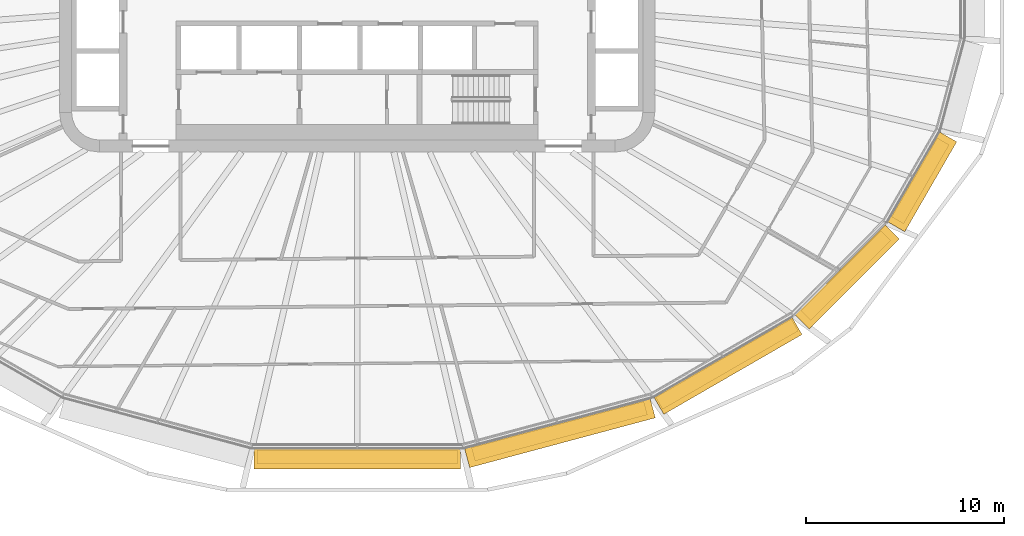
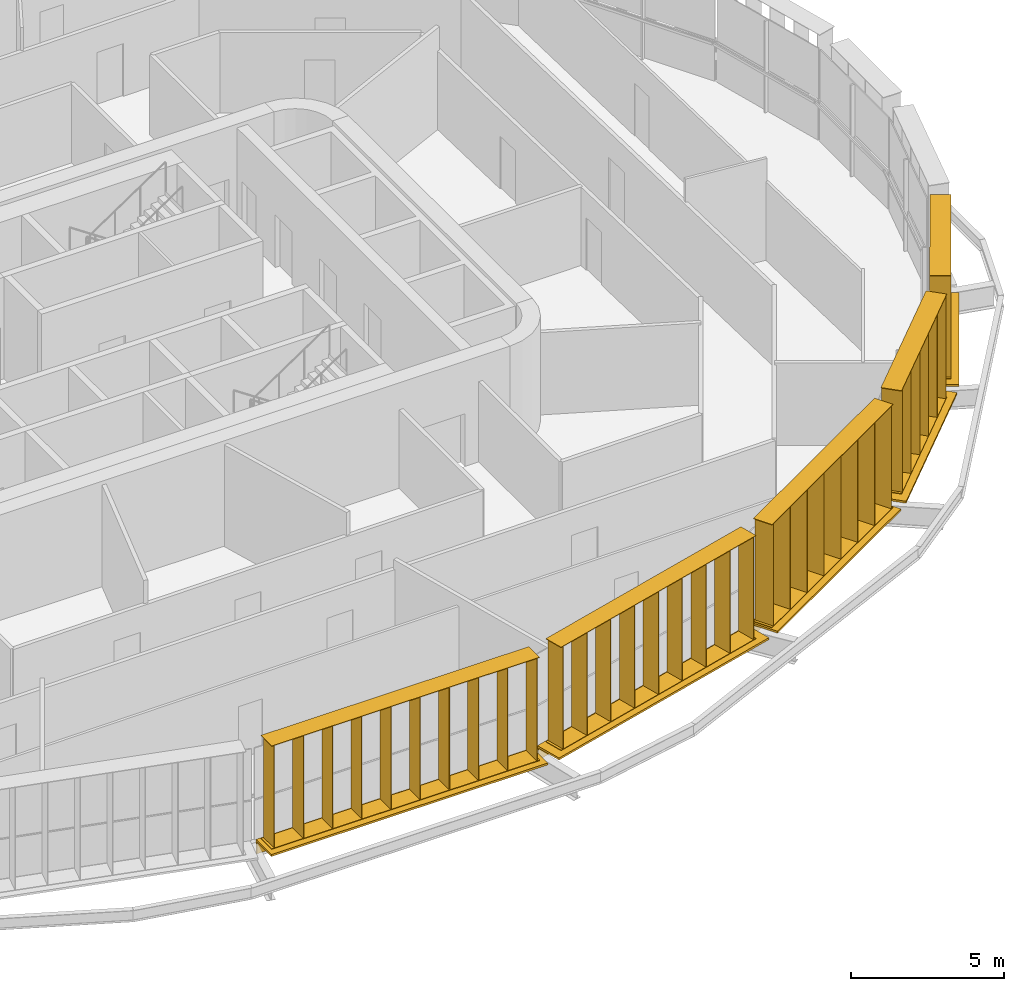
# One storey, part 21 of 24: 10 shading devices.
"""IFC4 building model written with IfcOpenShell, lengths in metres."""

from ifc_helpers import new_model, si_unit, direction, frame, origin, origin_2d, place, context, subcontext, project, spatial, rectangle, extrude, material, type_object, element, save


model = new_model("IFC4")

# Units and contexts
model_context = context("Model", 3, precision=1e-05, world=origin(), true_north=direction((0.0, 1.0)))
body_context = subcontext(model_context, "Body", "Model", "MODEL_VIEW")
ifc_project = project(units=[si_unit("LENGTHUNIT", "METRE"), si_unit("AREAUNIT", "SQUARE_METRE"), si_unit("VOLUMEUNIT", "CUBIC_METRE"), si_unit("PLANEANGLEUNIT", "RADIAN"), si_unit("MASSUNIT", "GRAM", prefix="KILO")], contexts=[model_context])

# Site, building, storey
site_placement = place(None, origin())
site = spatial("IfcSite", under=ifc_project, at=site_placement, CompositionType="ELEMENT")
building_placement = place(site_placement, origin())
building = spatial("IfcBuilding", under=site, at=building_placement, Name="Sahrelin Media Tower", CompositionType="ELEMENT")
storey_placement = place(building_placement, frame((0.0, 0.0, 58.800048828125)))
storey = spatial("IfcBuildingStorey", under=building, at=storey_placement, Name="L09", CompositionType="ELEMENT", Elevation=58.800048828125)

# Shading devices
ifc_material = material(Name="Champagne anodised aluminium 6063-T6", Category="aluminium")
shading_device_type_1 = type_object("IfcShadingDeviceType", Name="Fin cassette", PredefinedType="USERDEFINED", material=ifc_material)
placement_1 = place(storey_placement, frame((0.0, -22.945068359375, 0.0), z_axis=(0.0, 0.0, 1.0), x_axis=(-1.0, 0.0, 0.0)))
element("IfcShadingDevice", 1, at=placement_1, inside=storey, type_object=shading_device_type_1, Name="L09:FIN:L09-18", ObjectType="FIN", PredefinedType="USERDEFINED", context=body_context, shape_type="SweptSolid", body=[
    extrude(rectangle(XDim=10.10009765625, YDim=0.699951171875, at=origin_2d()), frame((0.0, 0.419921875, 0.0)), (0.0, 0.0, 1.0), 0.02001953125),
    extrude(rectangle(XDim=10.10009765625, YDim=0.699951171875, at=origin_2d()), frame((0.0, 0.419921875, 4.10009765625)), (0.0, 0.0, 1.0), 0.02001953125),
    extrude(rectangle(XDim=0.02001953125, YDim=0.699951171875, at=origin_2d()), frame((-4.949951171875, 0.419921875, 0.010009765625), z_axis=(0.0, 0.0, 1.0), x_axis=(1.0, 0.0, 0.0)), (0.0, 0.0, 1.0), 4.10009765625),
    extrude(rectangle(XDim=0.02001953125, YDim=0.699951171875, at=origin_2d()), frame((-3.85009765625, 0.419921875, 0.010009765625), z_axis=(0.0, 0.0, 1.0), x_axis=(1.0, 0.0, 0.0)), (0.0, 0.0, 1.0), 4.10009765625),
    extrude(rectangle(XDim=0.02001953125, YDim=0.699951171875, at=origin_2d()), frame((-2.75, 0.419921875, 0.010009765625), z_axis=(0.0, 0.0, 1.0), x_axis=(1.0, 0.0, 0.0)), (0.0, 0.0, 1.0), 4.10009765625),
    extrude(rectangle(XDim=0.02001953125, YDim=0.699951171875, at=origin_2d()), frame((-1.64990234375, 0.419921875, 0.010009765625), z_axis=(0.0, 0.0, 1.0), x_axis=(1.0, 0.0, 0.0)), (0.0, 0.0, 1.0), 4.10009765625),
    extrude(rectangle(XDim=0.02001953125, YDim=0.699951171875, at=origin_2d()), frame((-0.550048828125, 0.419921875, 0.010009765625), z_axis=(0.0, 0.0, 1.0), x_axis=(1.0, 0.0, 0.0)), (0.0, 0.0, 1.0), 4.10009765625),
    extrude(rectangle(XDim=0.02001953125, YDim=0.699951171875, at=origin_2d()), frame((0.550048828125, 0.419921875, 0.010009765625), z_axis=(0.0, 0.0, 1.0), x_axis=(1.0, 0.0, 0.0)), (0.0, 0.0, 1.0), 4.10009765625),
    extrude(rectangle(XDim=0.02001953125, YDim=0.699951171875, at=origin_2d()), frame((1.64990234375, 0.419921875, 0.010009765625), z_axis=(0.0, 0.0, 1.0), x_axis=(1.0, 0.0, 0.0)), (0.0, 0.0, 1.0), 4.10009765625),
    extrude(rectangle(XDim=0.02001953125, YDim=0.699951171875, at=origin_2d()), frame((2.75, 0.419921875, 0.010009765625), z_axis=(0.0, 0.0, 1.0), x_axis=(1.0, 0.0, 0.0)), (0.0, 0.0, 1.0), 4.10009765625),
    extrude(rectangle(XDim=0.02001953125, YDim=0.699951171875, at=origin_2d()), frame((3.85009765625, 0.419921875, 0.010009765625), z_axis=(0.0, 0.0, 1.0), x_axis=(1.0, 0.0, 0.0)), (0.0, 0.0, 1.0), 4.10009765625),
    extrude(rectangle(XDim=0.02001953125, YDim=0.699951171875, at=origin_2d()), frame((4.949951171875, 0.419921875, 0.010009765625), z_axis=(0.0, 0.0, 1.0), x_axis=(1.0, 0.0, 0.0)), (0.0, 0.0, 1.0), 4.10009765625),
])
placement_2 = place(storey_placement, frame((10.083984375, -21.665771484375, 0.0), z_axis=(0.0, 0.0, 1.0), x_axis=(-0.965928857556, -0.258807731996, 0.0)))
element("IfcShadingDevice", 2, at=placement_2, inside=storey, type_object=shading_device_type_1, Name="L09:FIN:L09-19", ObjectType="FIN", PredefinedType="USERDEFINED", context=body_context, shape_type="SweptSolid", body=[
    extrude(rectangle(XDim=9.0, YDim=0.699951171875, at=origin_2d()), frame((0.0, 0.419921875, 0.0)), (0.0, 0.0, 1.0), 0.02001953125),
    extrude(rectangle(XDim=9.0, YDim=0.699951171875, at=origin_2d()), frame((0.0, 0.419921875, 4.10009765625)), (0.0, 0.0, 1.0), 0.02001953125),
    extrude(rectangle(XDim=0.02001953125, YDim=0.699951171875, at=origin_2d()), frame((-4.39990234375, 0.419921875, 0.010009765625), z_axis=(0.0, 0.0, 1.0), x_axis=(1.0, 0.0, 0.0)), (0.0, 0.0, 1.0), 4.10009765625),
    extrude(rectangle(XDim=0.02001953125, YDim=0.699951171875, at=origin_2d()), frame((-3.300048828125, 0.419921875, 0.010009765625), z_axis=(0.0, 0.0, 1.0), x_axis=(1.0, 0.0, 0.0)), (0.0, 0.0, 1.0), 4.10009765625),
    extrude(rectangle(XDim=0.02001953125, YDim=0.699951171875, at=origin_2d()), frame((-2.199951171875, 0.419921875, 0.010009765625), z_axis=(0.0, 0.0, 1.0), x_axis=(1.0, 0.0, 0.0)), (0.0, 0.0, 1.0), 4.10009765625),
    extrude(rectangle(XDim=0.02001953125, YDim=0.699951171875, at=origin_2d()), frame((-1.10009765625, 0.419921875, 0.010009765625), z_axis=(0.0, 0.0, 1.0), x_axis=(1.0, 0.0, 0.0)), (0.0, 0.0, 1.0), 4.10009765625),
    extrude(rectangle(XDim=0.02001953125, YDim=0.699951171875, at=origin_2d()), frame((0.0, 0.419921875, 0.010009765625), z_axis=(0.0, 0.0, 1.0), x_axis=(1.0, 0.0, 0.0)), (0.0, 0.0, 1.0), 4.10009765625),
    extrude(rectangle(XDim=0.02001953125, YDim=0.699951171875, at=origin_2d()), frame((1.10009765625, 0.419921875, 0.010009765625), z_axis=(0.0, 0.0, 1.0), x_axis=(1.0, 0.0, 0.0)), (0.0, 0.0, 1.0), 4.10009765625),
    extrude(rectangle(XDim=0.02001953125, YDim=0.699951171875, at=origin_2d()), frame((2.199951171875, 0.419921875, 0.010009765625), z_axis=(0.0, 0.0, 1.0), x_axis=(1.0, 0.0, 0.0)), (0.0, 0.0, 1.0), 4.10009765625),
    extrude(rectangle(XDim=0.02001953125, YDim=0.699951171875, at=origin_2d()), frame((3.300048828125, 0.419921875, 0.010009765625), z_axis=(0.0, 0.0, 1.0), x_axis=(1.0, 0.0, 0.0)), (0.0, 0.0, 1.0), 4.10009765625),
    extrude(rectangle(XDim=0.02001953125, YDim=0.699951171875, at=origin_2d()), frame((4.39990234375, 0.419921875, 0.010009765625), z_axis=(0.0, 0.0, 1.0), x_axis=(1.0, 0.0, 0.0)), (0.0, 0.0, 1.0), 4.10009765625),
])
placement_3 = place(storey_placement, frame((18.427490234375, -18.32568359375, 0.0), z_axis=(0.0, 0.0, 1.0), x_axis=(-0.866019052629, -0.500011000363, 0.0)))
element("IfcShadingDevice", 3, at=placement_3, inside=storey, type_object=shading_device_type_1, Name="L09:FIN:L09-20", ObjectType="FIN", PredefinedType="USERDEFINED", context=body_context, shape_type="SweptSolid", body=[
    extrude(rectangle(XDim=7.89990234375, YDim=0.699951171875, at=origin_2d()), frame((0.0, 0.419921875, 0.0)), (0.0, 0.0, 1.0), 0.02001953125),
    extrude(rectangle(XDim=7.89990234375, YDim=0.699951171875, at=origin_2d()), frame((0.0, 0.419921875, 4.10009765625)), (0.0, 0.0, 1.0), 0.02001953125),
    extrude(rectangle(XDim=0.02001953125, YDim=0.699951171875, at=origin_2d()), frame((-3.85009765625, 0.419921875, 0.010009765625), z_axis=(0.0, 0.0, 1.0), x_axis=(1.0, 0.0, 0.0)), (0.0, 0.0, 1.0), 4.10009765625),
    extrude(rectangle(XDim=0.02001953125, YDim=0.699951171875, at=origin_2d()), frame((-2.75, 0.419921875, 0.010009765625), z_axis=(0.0, 0.0, 1.0), x_axis=(1.0, 0.0, 0.0)), (0.0, 0.0, 1.0), 4.10009765625),
    extrude(rectangle(XDim=0.02001953125, YDim=0.699951171875, at=origin_2d()), frame((-1.64990234375, 0.419921875, 0.010009765625), z_axis=(0.0, 0.0, 1.0), x_axis=(1.0, 0.0, 0.0)), (0.0, 0.0, 1.0), 4.10009765625),
    extrude(rectangle(XDim=0.02001953125, YDim=0.699951171875, at=origin_2d()), frame((-0.550048828125, 0.419921875, 0.010009765625), z_axis=(0.0, 0.0, 1.0), x_axis=(1.0, 0.0, 0.0)), (0.0, 0.0, 1.0), 4.10009765625),
    extrude(rectangle(XDim=0.02001953125, YDim=0.699951171875, at=origin_2d()), frame((0.550048828125, 0.419921875, 0.010009765625), z_axis=(0.0, 0.0, 1.0), x_axis=(1.0, 0.0, 0.0)), (0.0, 0.0, 1.0), 4.10009765625),
    extrude(rectangle(XDim=0.02001953125, YDim=0.699951171875, at=origin_2d()), frame((1.64990234375, 0.419921875, 0.010009765625), z_axis=(0.0, 0.0, 1.0), x_axis=(1.0, 0.0, 0.0)), (0.0, 0.0, 1.0), 4.10009765625),
    extrude(rectangle(XDim=0.02001953125, YDim=0.699951171875, at=origin_2d()), frame((2.75, 0.419921875, 0.010009765625), z_axis=(0.0, 0.0, 1.0), x_axis=(1.0, 0.0, 0.0)), (0.0, 0.0, 1.0), 4.10009765625),
    extrude(rectangle(XDim=0.02001953125, YDim=0.699951171875, at=origin_2d()), frame((3.85009765625, 0.419921875, 0.010009765625), z_axis=(0.0, 0.0, 1.0), x_axis=(1.0, 0.0, 0.0)), (0.0, 0.0, 1.0), 4.10009765625),
])
placement_4 = place(storey_placement, frame((24.331787109375, -13.929931640625, 0.0), z_axis=(0.0, 0.0, 1.0), x_axis=(-0.707106781187, -0.707106781187, 0.0)))
element("IfcShadingDevice", 4, at=placement_4, inside=storey, type_object=shading_device_type_1, Name="L09:FIN:L09-21", ObjectType="FIN", PredefinedType="USERDEFINED", context=body_context, shape_type="SweptSolid", body=[
    extrude(rectangle(XDim=5.699951171875, YDim=0.699951171875, at=origin_2d()), frame((0.0, 0.419921875, 0.0)), (0.0, 0.0, 1.0), 0.02001953125),
    extrude(rectangle(XDim=5.699951171875, YDim=0.699951171875, at=origin_2d()), frame((0.0, 0.419921875, 4.10009765625)), (0.0, 0.0, 1.0), 0.02001953125),
    extrude(rectangle(XDim=0.02001953125, YDim=0.699951171875, at=origin_2d()), frame((-2.75, 0.419921875, 0.010009765625), z_axis=(0.0, 0.0, 1.0), x_axis=(1.0, 0.0, 0.0)), (0.0, 0.0, 1.0), 4.10009765625),
    extrude(rectangle(XDim=0.02001953125, YDim=0.699951171875, at=origin_2d()), frame((-1.64990234375, 0.419921875, 0.010009765625), z_axis=(0.0, 0.0, 1.0), x_axis=(1.0, 0.0, 0.0)), (0.0, 0.0, 1.0), 4.10009765625),
    extrude(rectangle(XDim=0.02001953125, YDim=0.699951171875, at=origin_2d()), frame((-0.550048828125, 0.419921875, 0.010009765625), z_axis=(0.0, 0.0, 1.0), x_axis=(1.0, 0.0, 0.0)), (0.0, 0.0, 1.0), 4.10009765625),
    extrude(rectangle(XDim=0.02001953125, YDim=0.699951171875, at=origin_2d()), frame((0.550048828125, 0.419921875, 0.010009765625), z_axis=(0.0, 0.0, 1.0), x_axis=(1.0, 0.0, 0.0)), (0.0, 0.0, 1.0), 4.10009765625),
    extrude(rectangle(XDim=0.02001953125, YDim=0.699951171875, at=origin_2d()), frame((1.64990234375, 0.419921875, 0.010009765625), z_axis=(0.0, 0.0, 1.0), x_axis=(1.0, 0.0, 0.0)), (0.0, 0.0, 1.0), 4.10009765625),
    extrude(rectangle(XDim=0.02001953125, YDim=0.699951171875, at=origin_2d()), frame((2.75, 0.419921875, 0.010009765625), z_axis=(0.0, 0.0, 1.0), x_axis=(1.0, 0.0, 0.0)), (0.0, 0.0, 1.0), 4.10009765625),
])
placement_5 = place(storey_placement, frame((28.025390625, -9.2421875, 0.0), z_axis=(0.0, 0.0, 1.0), x_axis=(-0.500011000363, -0.866019052629, 0.0)))
element("IfcShadingDevice", 5, at=placement_5, inside=storey, type_object=shading_device_type_1, Name="L09:FIN:L09-22", ObjectType="FIN", PredefinedType="USERDEFINED", context=body_context, shape_type="SweptSolid", body=[
    extrude(rectangle(XDim=4.60009765625, YDim=0.699951171875, at=origin_2d()), frame((0.0, 0.419921875, 0.0)), (0.0, 0.0, 1.0), 0.02001953125),
    extrude(rectangle(XDim=4.60009765625, YDim=0.699951171875, at=origin_2d()), frame((0.0, 0.419921875, 4.10009765625)), (0.0, 0.0, 1.0), 0.02001953125),
    extrude(rectangle(XDim=0.02001953125, YDim=0.699951171875, at=origin_2d()), frame((-2.199951171875, 0.419921875, 0.010009765625), z_axis=(0.0, 0.0, 1.0), x_axis=(1.0, 0.0, 0.0)), (0.0, 0.0, 1.0), 4.10009765625),
    extrude(rectangle(XDim=0.02001953125, YDim=0.699951171875, at=origin_2d()), frame((-1.10009765625, 0.419921875, 0.010009765625), z_axis=(0.0, 0.0, 1.0), x_axis=(1.0, 0.0, 0.0)), (0.0, 0.0, 1.0), 4.10009765625),
    extrude(rectangle(XDim=0.02001953125, YDim=0.699951171875, at=origin_2d()), frame((0.0, 0.419921875, 0.010009765625), z_axis=(0.0, 0.0, 1.0), x_axis=(1.0, 0.0, 0.0)), (0.0, 0.0, 1.0), 4.10009765625),
    extrude(rectangle(XDim=0.02001953125, YDim=0.699951171875, at=origin_2d()), frame((1.10009765625, 0.419921875, 0.010009765625), z_axis=(0.0, 0.0, 1.0), x_axis=(1.0, 0.0, 0.0)), (0.0, 0.0, 1.0), 4.10009765625),
    extrude(rectangle(XDim=0.02001953125, YDim=0.699951171875, at=origin_2d()), frame((2.199951171875, 0.419921875, 0.010009765625), z_axis=(0.0, 0.0, 1.0), x_axis=(1.0, 0.0, 0.0)), (0.0, 0.0, 1.0), 4.10009765625),
])
shading_device_type_2 = type_object("IfcShadingDeviceType", Name="Sunshade band", PredefinedType="USERDEFINED", material=ifc_material)
element("IfcShadingDevice", 6, at=placement_1, inside=storey, type_object=shading_device_type_2, Name="L09:SUN:L09-18", ObjectType="SUNSHADE", PredefinedType="USERDEFINED", context=body_context, shape_type="SweptSolid", body=[
    extrude(rectangle(XDim=10.418701171875, YDim=0.050048828125, at=origin_2d()), frame((0.0, 0.044921875, -0.55126953125)), (0.0, 0.0, 1.0), 0.471435546875),
    extrude(rectangle(XDim=10.418701171875, YDim=1.0, at=origin_2d()), frame((0.0, 0.52001953125, -0.080078125)), (0.0, 0.0, 1.0), 0.080078125),
    extrude(rectangle(XDim=0.10009765625, YDim=0.074951171875, at=origin_2d()), frame((-5.109375, -0.017578125, -0.47021484375)), (0.0, 0.0, 1.0), 0.300048828125),
    extrude(rectangle(XDim=0.10009765625, YDim=0.074951171875, at=origin_2d()), frame((-3.40625, -0.017578125, -0.47021484375)), (0.0, 0.0, 1.0), 0.300048828125),
    extrude(rectangle(XDim=0.10009765625, YDim=0.074951171875, at=origin_2d()), frame((-1.703125, -0.017578125, -0.47021484375)), (0.0, 0.0, 1.0), 0.300048828125),
    extrude(rectangle(XDim=0.10009765625, YDim=0.074951171875, at=origin_2d()), frame((0.0, -0.017578125, -0.47021484375)), (0.0, 0.0, 1.0), 0.300048828125),
    extrude(rectangle(XDim=0.10009765625, YDim=0.074951171875, at=origin_2d()), frame((1.703125, -0.017578125, -0.47021484375)), (0.0, 0.0, 1.0), 0.300048828125),
    extrude(rectangle(XDim=0.10009765625, YDim=0.074951171875, at=origin_2d()), frame((3.40625, -0.017578125, -0.47021484375)), (0.0, 0.0, 1.0), 0.300048828125),
    extrude(rectangle(XDim=0.10009765625, YDim=0.074951171875, at=origin_2d()), frame((5.109375, -0.017578125, -0.47021484375)), (0.0, 0.0, 1.0), 0.300048828125),
])
element("IfcShadingDevice", 7, at=placement_2, inside=storey, type_object=shading_device_type_2, Name="L09:SUN:L09-19", ObjectType="SUNSHADE", PredefinedType="USERDEFINED", context=body_context, shape_type="SweptSolid", body=[
    extrude(rectangle(XDim=9.686279296875, YDim=0.050048828125, at=origin_2d()), frame((0.0, 0.044921875, -0.55126953125)), (0.0, 0.0, 1.0), 0.471435546875),
    extrude(rectangle(XDim=9.686279296875, YDim=1.0, at=origin_2d()), frame((0.0, 0.52001953125, -0.080078125)), (0.0, 0.0, 1.0), 0.080078125),
    extrude(rectangle(XDim=0.10009765625, YDim=0.074951171875, at=origin_2d()), frame((-4.7431640625, -0.017578125, -0.47021484375)), (0.0, 0.0, 1.0), 0.300048828125),
    extrude(rectangle(XDim=0.10009765625, YDim=0.074951171875, at=origin_2d()), frame((-2.845947265625, -0.017578125, -0.47021484375)), (0.0, 0.0, 1.0), 0.300048828125),
    extrude(rectangle(XDim=0.10009765625, YDim=0.074951171875, at=origin_2d()), frame((-0.948486328125, -0.017578125, -0.47021484375)), (0.0, 0.0, 1.0), 0.300048828125),
    extrude(rectangle(XDim=0.10009765625, YDim=0.074951171875, at=origin_2d()), frame((0.948486328125, -0.017578125, -0.47021484375)), (0.0, 0.0, 1.0), 0.300048828125),
    extrude(rectangle(XDim=0.10009765625, YDim=0.074951171875, at=origin_2d()), frame((2.845947265625, -0.017578125, -0.47021484375)), (0.0, 0.0, 1.0), 0.300048828125),
    extrude(rectangle(XDim=0.10009765625, YDim=0.074951171875, at=origin_2d()), frame((4.7431640625, -0.017578125, -0.47021484375)), (0.0, 0.0, 1.0), 0.300048828125),
])
element("IfcShadingDevice", 8, at=placement_3, inside=storey, type_object=shading_device_type_2, Name="L09:SUN:L09-20", ObjectType="SUNSHADE", PredefinedType="USERDEFINED", context=body_context, shape_type="SweptSolid", body=[
    extrude(rectangle(XDim=8.041748046875, YDim=0.050048828125, at=origin_2d()), frame((0.0, 0.044921875, -0.55126953125)), (0.0, 0.0, 1.0), 0.471435546875),
    extrude(rectangle(XDim=8.041748046875, YDim=1.0, at=origin_2d()), frame((0.0, 0.52001953125, -0.080078125)), (0.0, 0.0, 1.0), 0.080078125),
    extrude(rectangle(XDim=0.10009765625, YDim=0.074951171875, at=origin_2d()), frame((-3.9208984375, -0.017578125, -0.47021484375)), (0.0, 0.0, 1.0), 0.300048828125),
    extrude(rectangle(XDim=0.10009765625, YDim=0.074951171875, at=origin_2d()), frame((-2.3525390625, -0.017578125, -0.47021484375)), (0.0, 0.0, 1.0), 0.300048828125),
    extrude(rectangle(XDim=0.10009765625, YDim=0.074951171875, at=origin_2d()), frame((-0.7841796875, -0.017578125, -0.47021484375)), (0.0, 0.0, 1.0), 0.300048828125),
    extrude(rectangle(XDim=0.10009765625, YDim=0.074951171875, at=origin_2d()), frame((0.7841796875, -0.017578125, -0.47021484375)), (0.0, 0.0, 1.0), 0.300048828125),
    extrude(rectangle(XDim=0.10009765625, YDim=0.074951171875, at=origin_2d()), frame((2.3525390625, -0.017578125, -0.47021484375)), (0.0, 0.0, 1.0), 0.300048828125),
    extrude(rectangle(XDim=0.10009765625, YDim=0.074951171875, at=origin_2d()), frame((3.9208984375, -0.017578125, -0.47021484375)), (0.0, 0.0, 1.0), 0.300048828125),
])
element("IfcShadingDevice", 9, at=placement_4, inside=storey, type_object=shading_device_type_2, Name="L09:SUN:L09-21", ObjectType="SUNSHADE", PredefinedType="USERDEFINED", context=body_context, shape_type="SweptSolid", body=[
    extrude(rectangle(XDim=6.40576171875, YDim=0.050048828125, at=origin_2d()), frame((0.0, 0.044921875, -0.55126953125)), (0.0, 0.0, 1.0), 0.471435546875),
    extrude(rectangle(XDim=6.40576171875, YDim=1.0, at=origin_2d()), frame((0.0, 0.52001953125, -0.080078125)), (0.0, 0.0, 1.0), 0.080078125),
    extrude(rectangle(XDim=0.10009765625, YDim=0.074951171875, at=origin_2d()), frame((-3.102783203125, -0.017578125, -0.47021484375)), (0.0, 0.0, 1.0), 0.300048828125),
    extrude(rectangle(XDim=0.10009765625, YDim=0.074951171875, at=origin_2d()), frame((-1.551513671875, -0.017578125, -0.47021484375)), (0.0, 0.0, 1.0), 0.300048828125),
    extrude(rectangle(XDim=0.10009765625, YDim=0.074951171875, at=origin_2d()), frame((0.0, -0.017578125, -0.47021484375)), (0.0, 0.0, 1.0), 0.300048828125),
    extrude(rectangle(XDim=0.10009765625, YDim=0.074951171875, at=origin_2d()), frame((1.551513671875, -0.017578125, -0.47021484375)), (0.0, 0.0, 1.0), 0.300048828125),
    extrude(rectangle(XDim=0.10009765625, YDim=0.074951171875, at=origin_2d()), frame((3.102783203125, -0.017578125, -0.47021484375)), (0.0, 0.0, 1.0), 0.300048828125),
])
element("IfcShadingDevice", 10, at=placement_5, inside=storey, type_object=shading_device_type_2, Name="L09:SUN:L09-22", ObjectType="SUNSHADE", PredefinedType="USERDEFINED", context=body_context, shape_type="SweptSolid", body=[
    extrude(rectangle(XDim=5.232421875, YDim=0.050048828125, at=origin_2d()), frame((0.0, 0.044921875, -0.55126953125)), (0.0, 0.0, 1.0), 0.471435546875),
    extrude(rectangle(XDim=5.232421875, YDim=1.0, at=origin_2d()), frame((0.0, 0.52001953125, -0.080078125)), (0.0, 0.0, 1.0), 0.080078125),
    extrude(rectangle(XDim=0.10009765625, YDim=0.074951171875, at=origin_2d()), frame((-2.51611328125, -0.017578125, -0.47021484375)), (0.0, 0.0, 1.0), 0.300048828125),
    extrude(rectangle(XDim=0.10009765625, YDim=0.074951171875, at=origin_2d()), frame((-0.838623046875, -0.017578125, -0.47021484375)), (0.0, 0.0, 1.0), 0.300048828125),
    extrude(rectangle(XDim=0.10009765625, YDim=0.074951171875, at=origin_2d()), frame((0.838623046875, -0.017578125, -0.47021484375)), (0.0, 0.0, 1.0), 0.300048828125),
    extrude(rectangle(XDim=0.10009765625, YDim=0.074951171875, at=origin_2d()), frame((2.51611328125, -0.017578125, -0.47021484375)), (0.0, 0.0, 1.0), 0.300048828125),
])

save(model, "model.ifc")
